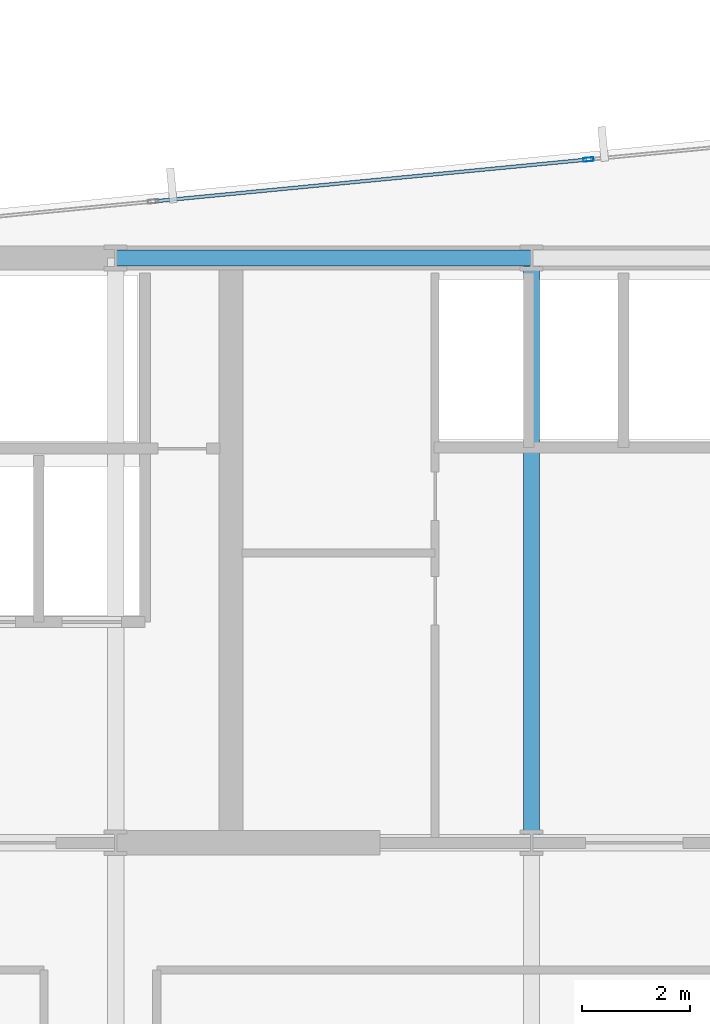
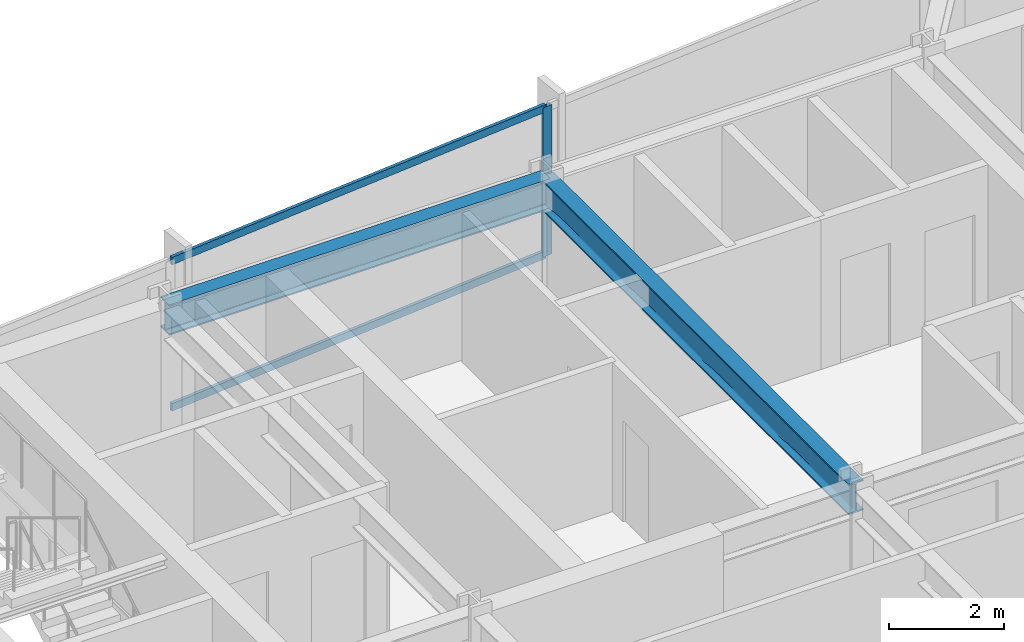
# One storey, part 19 of 32: 3 members, 2 beams, 1 element without a shape of its own.
"""IFC4 building model written with IfcOpenShell, lengths in metres."""

from ifc_helpers import new_model, si_unit, direction, frame, origin, origin_2d, place, context, subcontext, project, spatial, hollow_rectangle, i_section, extrude, material, material_profile, profile_set, type_object, element, aggregate, save


model = new_model("IFC4")

# Units and contexts
model_context = context("Model", 3, precision=1e-05, world=origin(), true_north=direction((0.0, 1.0)))
body_context = subcontext(model_context, "Body", "Model", "MODEL_VIEW")
ifc_project = project(units=[si_unit("LENGTHUNIT", "METRE"), si_unit("AREAUNIT", "SQUARE_METRE"), si_unit("VOLUMEUNIT", "CUBIC_METRE"), si_unit("PLANEANGLEUNIT", "RADIAN"), si_unit("MASSUNIT", "GRAM", prefix="KILO")], contexts=[model_context])

# Site, building, storey
site_placement = place(None, origin())
site = spatial("IfcSite", under=ifc_project, at=site_placement, CompositionType="ELEMENT")
building_placement = place(site_placement, origin())
building = spatial("IfcBuilding", under=site, at=building_placement, Name="Yelkora Congress Tower", CompositionType="ELEMENT")
storey_placement = place(building_placement, frame((0.0, 0.0, 103.300048828125)))
storey = spatial("IfcBuildingStorey", under=building, at=storey_placement, Name="L27", CompositionType="ELEMENT", Elevation=103.300048828125)

# Beams
ifc_material_1 = material(Name="Steel S355J2", Category="steel")
ifc_material_profile_1 = material_profile(ifc_material_1, i_section(OverallWidth=0.300048828125, OverallDepth=0.64990234375, WebThickness=0.01611328125, FlangeThickness=0.031005859375, FilletRadius=0.027099609375, at=origin_2d()), Name="HEB 650")
ifc_profile_set_1 = profile_set([ifc_material_profile_1], Name="Steel S355J2")
beam_type = type_object("IfcBeamType", Name="BM-GIRD-HEB650", PredefinedType="BEAM", material=ifc_profile_set_1)
beam_1_placement = place(storey_placement, frame((30.719970703125, 46.199951171875, 2.85498046875), z_axis=(1.0, 0.0, 0.0), x_axis=(0.0, 1.0, 0.0)))
element("IfcBeam", 1, at=beam_1_placement, inside=storey, type_object=beam_type, Name="L27 Core North Girder 3", PredefinedType="BEAM", context=body_context, shape_type="SweptSolid", body=[
    extrude(i_section(OverallWidth=0.300048828125, OverallDepth=0.64990234375, WebThickness=0.01611328125, FlangeThickness=0.031005859375, FilletRadius=0.027099609375, at=origin_2d()), origin(), (0.0, 0.0, 1.0), 7.679931640625),
])
beam_2_placement = place(storey_placement, frame((38.39990234375, 35.39990234375, 2.85498046875), z_axis=(0.0, 1.0, 0.0), x_axis=(-1.0, 0.0, 0.0)))
element("IfcBeam", 2, at=beam_2_placement, inside=storey, type_object=beam_type, Name="L27 Core Tie Girder MC-S3", PredefinedType="BEAM", context=body_context, shape_type="SweptSolid", body=[
    extrude(i_section(OverallWidth=0.300048828125, OverallDepth=0.64990234375, WebThickness=0.01611328125, FlangeThickness=0.031005859375, FilletRadius=0.027099609375, at=origin_2d()), origin(), (0.0, 0.0, 1.0), 10.800048828125),
])

# Curtain wall, members
ifc_material_2 = material(Name="Anodised aluminium and insulated glass", Category="aluminium")
curtain_wall_type = type_object("IfcCurtainWallType", Name="CW-SYS-B2", PredefinedType="NOTDEFINED", material=ifc_material_2)
curtain_wall_placement = place(storey_placement, origin())
curtain_wall = element("IfcCurtainWall", 3, at=curtain_wall_placement, inside=storey, type_object=curtain_wall_type, Name="L27 Unitised Curtain Wall 10 (3)", PredefinedType="NOTDEFINED")
ifc_material_3 = material(Name="Anodised aluminium 6063-T6", Category="aluminium")
ifc_material_profile_2 = material_profile(ifc_material_3, hollow_rectangle(XDim=0.070068359375, YDim=0.18994140625, WallThickness=0.00390625, at=origin_2d()), Name="ALU 70x190x4")
ifc_profile_set_2 = profile_set([ifc_material_profile_2], Name="Anodised aluminium 6063-T6")
member_type_1 = type_object("IfcMemberType", Name="MEM-ML-B2", PredefinedType="MULLION", material=ifc_profile_set_2)
member_1_placement = place(storey_placement, frame((39.451904296875, 48.018310546875, 0.0), z_axis=(0.0, 0.0, 1.0), x_axis=(-0.095844238468, 0.995396344153, 0.0)))
member_1 = element("IfcMember", 4, at=member_1_placement, type_object=member_type_1, Name="CW-B2 mullion 3", PredefinedType="MULLION", context=body_context, shape_type="SweptSolid", body=[
    extrude(hollow_rectangle(XDim=0.070068359375, YDim=0.18994140625, WallThickness=0.00390625, at=origin_2d()), origin(), (0.0, 0.0, 1.0), 3.179931640625),
])
ifc_material_profile_3 = material_profile(ifc_material_3, hollow_rectangle(XDim=0.06494140625, YDim=0.159912109375, WallThickness=0.00390625, at=origin_2d()), Name="ALU 65x160x4")
ifc_profile_set_3 = profile_set([ifc_material_profile_3], Name="Anodised aluminium 6063-T6")
member_type_2 = type_object("IfcMemberType", Name="MEM-TR-B2", PredefinedType="USERDEFINED", material=ifc_profile_set_3)
member_2_placement = place(storey_placement, frame((31.44677734375, 47.24755859375, 0.032470703125), z_axis=(0.995397793901, 0.09582918082, 0.0), x_axis=(-0.09582918082, 0.995397793901, 0.0)))
member_2 = element("IfcMember", 5, at=member_2_placement, type_object=member_type_2, Name="CW-B2 transom 2.1", ObjectType="TRANSOM", PredefinedType="USERDEFINED", context=body_context, shape_type="SweptSolid", body=[
    extrude(hollow_rectangle(XDim=0.06494140625, YDim=0.159912109375, WallThickness=0.00390625, at=origin_2d()), origin(), (0.0, 0.0, 1.0), 8.00732421875),
])
member_3_placement = place(storey_placement, frame((31.44677734375, 47.24755859375, 3.1474609375), z_axis=(0.995397793901, 0.09582918082, 0.0), x_axis=(-0.09582918082, 0.995397793901, 0.0)))
member_3 = element("IfcMember", 6, at=member_3_placement, type_object=member_type_2, Name="CW-B2 transom 2.2", ObjectType="TRANSOM", PredefinedType="USERDEFINED", context=body_context, shape_type="SweptSolid", body=[
    extrude(hollow_rectangle(XDim=0.06494140625, YDim=0.159912109375, WallThickness=0.00390625, at=origin_2d()), origin(), (0.0, 0.0, 1.0), 8.00732421875),
])
aggregate(curtain_wall, [member_1, member_2, member_3])

save(model, "model.ifc")
